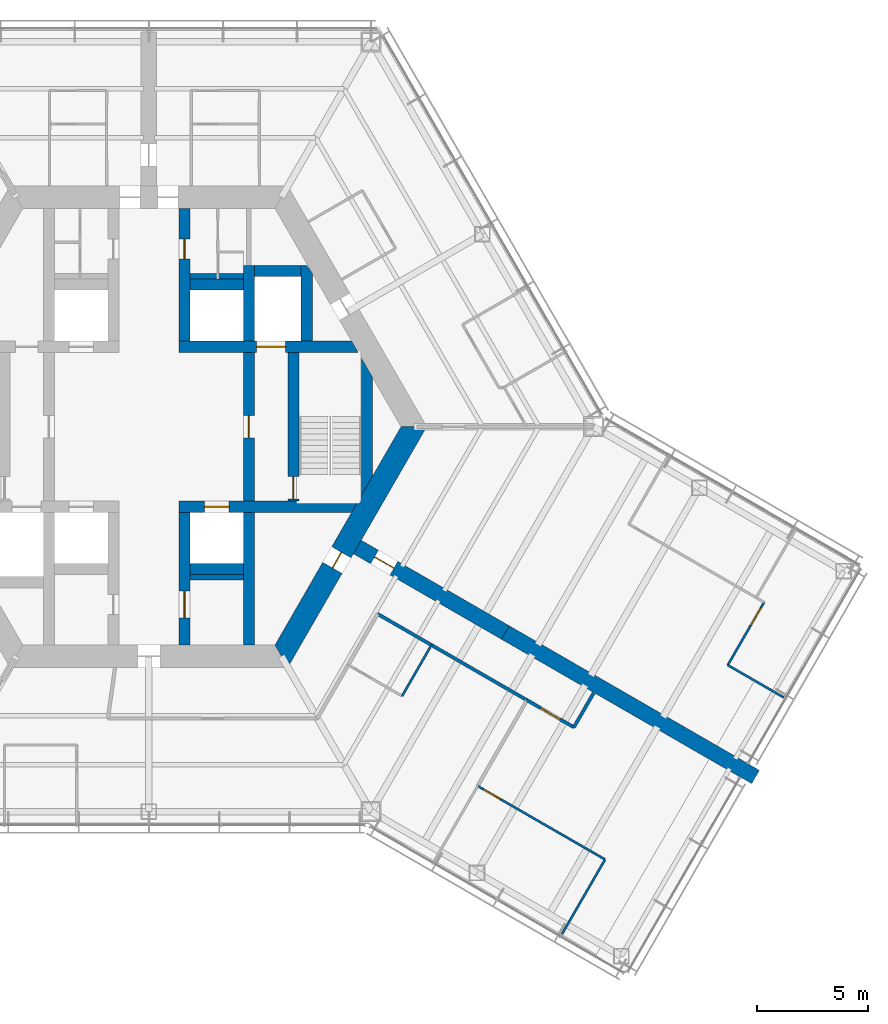
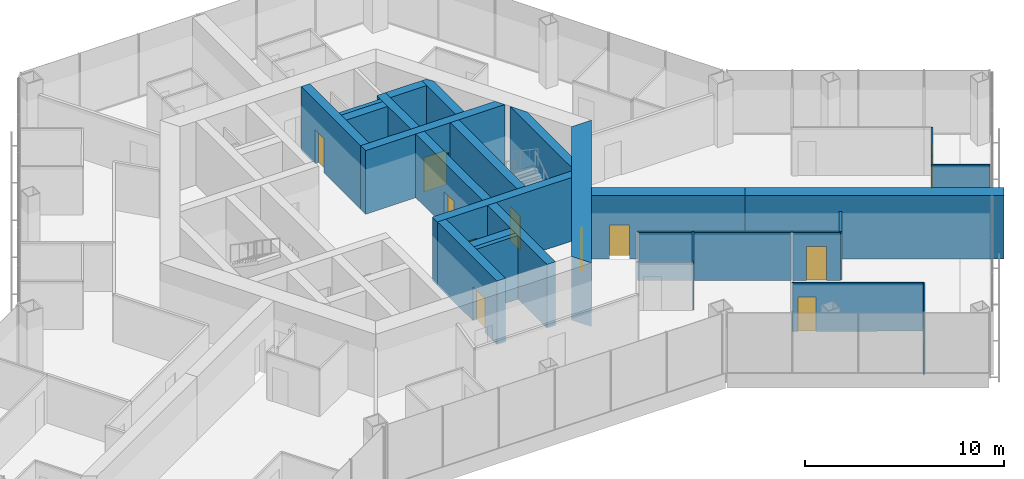
# One storey, part 13 of 18: 27 walls, 11 doors, 11 openings.
"""IFC4 building model written with IfcOpenShell, lengths in metres."""

from ifc_helpers import new_model, si_unit, direction, frame, frame_2d, origin, place, context, subcontext, project, spatial, polyline, rectangle, outline, extrude, material, layer, layer_set, type_object, element, fill, save


model = new_model("IFC4")

# Units and contexts
model_context = context("Model", 3, precision=1e-05, world=origin(), true_north=direction((0.0, 1.0)))
body_context = subcontext(model_context, "Body", "Model", "MODEL_VIEW")
ifc_project = project(units=[si_unit("LENGTHUNIT", "METRE"), si_unit("AREAUNIT", "SQUARE_METRE"), si_unit("VOLUMEUNIT", "CUBIC_METRE"), si_unit("PLANEANGLEUNIT", "RADIAN"), si_unit("MASSUNIT", "GRAM", prefix="KILO")], contexts=[model_context])

# Site, building, storey
site_placement = place(None, origin())
site = spatial("IfcSite", under=ifc_project, at=site_placement, CompositionType="ELEMENT")
building_placement = place(site_placement, origin())
building = spatial("IfcBuilding", under=site, at=building_placement, Name="Kasaneha Research Tower", CompositionType="ELEMENT")
storey_placement = place(building_placement, frame((0.0, 0.0, 133.10009765625)))
storey = spatial("IfcBuildingStorey", under=building, at=storey_placement, Name="L33", CompositionType="ELEMENT", Elevation=133.10009765625)

# Wall, opening, door
ifc_material_1 = material(Name="Concrete Fc70", Category="concrete")
ifc_layer_1 = layer(ifc_material_1, 0.5)
ifc_layer_set_1 = layer_set([ifc_layer_1], Name="Core internal wall 500 Fc70")
wall_type_1 = type_object("IfcWallType", Name="Core internal wall 500 Fc70", PredefinedType="SHEAR", material=ifc_layer_set_1)
wall_1_placement = place(storey_placement, frame((1.35009765625, 3.60009765625, 0.0), z_axis=(0.0, 0.0, 1.0), x_axis=(1.0, 0.0, 0.0)))
wall_1 = element("IfcWall", 1, at=wall_1_placement, inside=storey, type_object=wall_type_1, Name="Core wall W1E L33", PredefinedType="SHEAR", context=body_context, shape_type="SweptSolid", body=[
    extrude(outline(polyline([(0.0, -0.25), (3.5, -0.25), (4.800048828125, -0.25), (8.060546875, -0.25), (7.77197265625, 0.25), (4.800048828125, 0.25), (3.5, 0.25), (0.0, 0.25), (0.0, -0.25)])), origin(), (0.0, 0.0, 1.0), 3.89990234375),
])
opening_1_placement = place(wall_1_placement, frame((3.5, 0.0, 0.0)))
opening_1 = element("IfcOpeningElement", 2, at=opening_1_placement, cuts=wall_1, Name="Opening LD-FL1-L33", PredefinedType="OPENING", context=body_context, shape_type="SweptSolid", body=[
    extrude(rectangle(XDim=1.300048828125, YDim=2.10009765625, at=frame_2d((0.64990234375, 1.050048828125))), frame((0.0, 0.260009765625, 0.0), z_axis=(0.0, -1.0, 0.0), x_axis=(1.0, 0.0, 0.0)), (0.0, 0.0, 1.0), 0.52001953125),
])
ifc_material_2 = material(Name="Steel", Category="steel")
door_type_1 = type_object("IfcDoorType", Name="Lift landing door 1300x2100", OperationType="DOUBLE_DOOR_SLIDING", PredefinedType="DOOR", material=ifc_material_2)
door_1_placement = place(opening_1_placement, origin())
door_1 = element("IfcDoor", 3, at=door_1_placement, inside=storey, type_object=door_type_1, Name="Landing door FL1 LD-FL1-L33", OperationType="DOUBLE_DOOR_SLIDING", OverallHeight=2.10009765625, OverallWidth=1.300048828125, PredefinedType="DOOR", context=body_context, shape_type="SweptSolid", body=[
    extrude(rectangle(XDim=1.300048828125, YDim=2.10009765625, at=frame_2d((0.64990234375, 1.050048828125))), frame((0.0, 0.02490234375, 0.0), z_axis=(0.0, -1.0, 0.0), x_axis=(1.0, 0.0, 0.0)), (0.0, 0.0, 1.0), 0.050048828125),
])
fill(opening_1, door_1)

wall_2_placement = place(storey_placement, frame((1.35009765625, -3.60009765625, 0.0), z_axis=(0.0, 0.0, 1.0), x_axis=(1.0, 0.0, 0.0)))
wall_2 = element("IfcWall", 4, at=wall_2_placement, inside=storey, type_object=wall_type_1, Name="Core wall W2E L33", PredefinedType="SHEAR", context=body_context, shape_type="SweptSolid", body=[
    extrude(outline(polyline([(0.0, -0.25), (1.14990234375, -0.25), (2.25, -0.25), (7.77197265625, -0.25), (8.060546875, 0.25), (2.25, 0.25), (1.14990234375, 0.25), (0.0, 0.25), (0.0, -0.25)])), origin(), (0.0, 0.0, 1.0), 3.89990234375),
])
opening_2_placement = place(wall_2_placement, frame((1.14990234375, 0.0, 0.0)))
opening_2 = element("IfcOpeningElement", 5, at=opening_2_placement, cuts=wall_2, Name="Opening LD-LM2-L33", PredefinedType="OPENING", context=body_context, shape_type="SweptSolid", body=[
    extrude(rectangle(XDim=1.10009765625, YDim=2.10009765625, at=frame_2d((0.550048828125, 1.050048828125))), frame((0.0, 0.260009765625, 0.0), z_axis=(0.0, -1.0, 0.0), x_axis=(1.0, 0.0, 0.0)), (0.0, 0.0, 1.0), 0.52001953125),
])
ifc_material_3 = material(Name="Steel", Category="steel")
door_type_2 = type_object("IfcDoorType", Name="Lift landing door 1100x2100", OperationType="DOUBLE_DOOR_SLIDING", PredefinedType="DOOR", material=ifc_material_3)
door_2_placement = place(opening_2_placement, origin())
door_2 = element("IfcDoor", 6, at=door_2_placement, inside=storey, type_object=door_type_2, Name="Landing door LM2 LD-LM2-L33", OperationType="DOUBLE_DOOR_SLIDING", OverallHeight=2.10009765625, OverallWidth=1.10009765625, PredefinedType="DOOR", context=body_context, shape_type="SweptSolid", body=[
    extrude(rectangle(XDim=1.10009765625, YDim=2.10009765625, at=frame_2d((0.550048828125, 1.050048828125))), frame((0.0, 0.02490234375, 0.0), z_axis=(0.0, -1.0, 0.0), x_axis=(1.0, 0.0, 0.0)), (0.0, 0.0, 1.0), 0.050048828125),
])
fill(opening_2, door_2)

wall_3_placement = place(storey_placement, frame((1.60009765625, 3.85009765625, 0.0), z_axis=(0.0, 0.0, 1.0), x_axis=(0.0, 1.0, 0.0)))
wall_3 = element("IfcWall", 7, at=wall_3_placement, inside=storey, type_object=wall_type_1, Name="Core wall CNE L33", PredefinedType="SHEAR", context=body_context, shape_type="SweptSolid", body=[
    extrude(rectangle(XDim=5.974853515625, YDim=0.5, at=frame_2d((2.9873046875, 0.0))), origin(), (0.0, 0.0, 1.0), 3.89990234375),
])
opening_3_placement = place(wall_3_placement, frame((3.699951171875, 0.0, 0.0)))
opening_3 = element("IfcOpeningElement", 8, at=opening_3_placement, cuts=wall_3, Name="Opening L33-D14", PredefinedType="OPENING", context=body_context, shape_type="SweptSolid", body=[
    extrude(rectangle(XDim=0.89990234375, YDim=2.10009765625, at=frame_2d((0.449951171875, 1.050048828125))), frame((0.0, 0.260009765625, 0.0), z_axis=(0.0, -1.0, 0.0), x_axis=(1.0, 0.0, 0.0)), (0.0, 0.0, 1.0), 0.52001953125),
])
ifc_material_4 = material(Name="Steel", Category="steel")
door_type_3 = type_object("IfcDoorType", Name="Toilet door FD20 900x2100", OperationType="NOTDEFINED", PredefinedType="DOOR", material=ifc_material_4)
door_3_placement = place(opening_3_placement, origin())
door_3 = element("IfcDoor", 9, at=door_3_placement, inside=storey, type_object=door_type_3, Name="Women's WC door L33-D14", OperationType="SINGLE_SWING_LEFT", OverallHeight=2.10009765625, OverallWidth=0.89990234375, PredefinedType="DOOR", context=body_context, shape_type="SweptSolid", body=[
    extrude(rectangle(XDim=0.89990234375, YDim=2.10009765625, at=frame_2d((0.449951171875, 1.050048828125))), frame((0.0, 0.02490234375, 0.0), z_axis=(0.0, -1.0, 0.0), x_axis=(1.0, 0.0, 0.0)), (0.0, 0.0, 1.0), 0.050048828125),
])
fill(opening_3, door_3)

wall_4_placement = place(storey_placement, frame((1.60009765625, -3.85009765625, 0.0), z_axis=(0.0, 0.0, 1.0), x_axis=(0.0, -1.0, 0.0)))
wall_4 = element("IfcWall", 10, at=wall_4_placement, inside=storey, type_object=wall_type_1, Name="Core wall CSE L33", PredefinedType="SHEAR", context=body_context, shape_type="SweptSolid", body=[
    extrude(rectangle(XDim=5.974853515625, YDim=0.5, at=frame_2d((2.9873046875, 0.0))), origin(), (0.0, 0.0, 1.0), 3.89990234375),
])
opening_4_placement = place(wall_4_placement, frame((3.550048828125, 0.0, 0.0)))
opening_4 = element("IfcOpeningElement", 11, at=opening_4_placement, cuts=wall_4, Name="Opening L33-D15", PredefinedType="OPENING", context=body_context, shape_type="SweptSolid", body=[
    extrude(rectangle(XDim=1.199951171875, YDim=2.10009765625, at=frame_2d((0.60009765625, 1.050048828125))), frame((0.0, 0.260009765625, 0.0), z_axis=(0.0, -1.0, 0.0), x_axis=(1.0, 0.0, 0.0)), (0.0, 0.0, 1.0), 0.52001953125),
])
ifc_material_5 = material(Name="Steel", Category="steel")
door_type_4 = type_object("IfcDoorType", Name="Accessible toilet sliding door FD20 1200x2100", OperationType="SLIDING_TO_LEFT", PredefinedType="DOOR", material=ifc_material_5)
door_4_placement = place(opening_4_placement, origin())
door_4 = element("IfcDoor", 12, at=door_4_placement, inside=storey, type_object=door_type_4, Name="Accessible WC door L33-D15", OperationType="SLIDING_TO_LEFT", OverallHeight=2.10009765625, OverallWidth=1.199951171875, PredefinedType="DOOR", context=body_context, shape_type="SweptSolid", body=[
    extrude(rectangle(XDim=1.199951171875, YDim=2.10009765625, at=frame_2d((0.60009765625, 1.050048828125))), frame((0.0, 0.02490234375, 0.0), z_axis=(0.0, -1.0, 0.0), x_axis=(1.0, 0.0, 0.0)), (0.0, 0.0, 1.0), 0.050048828125),
])
fill(opening_4, door_4)

wall_5_placement = place(storey_placement, frame((4.5, -3.35009765625, 0.0), z_axis=(0.0, 0.0, 1.0), x_axis=(0.0, 1.0, 0.0)))
wall_5 = element("IfcWall", 13, at=wall_5_placement, inside=storey, type_object=wall_type_1, Name="Core wall LBE L33", PredefinedType="SHEAR", context=body_context, shape_type="SweptSolid", body=[
    extrude(rectangle(XDim=6.7001953125, YDim=0.5, at=frame_2d((3.35009765625, 0.0))), origin(), (0.0, 0.0, 1.0), 3.89990234375),
])
opening_5_placement = place(wall_5_placement, frame((2.85009765625, 0.0, 0.0)))
opening_5 = element("IfcOpeningElement", 14, at=opening_5_placement, cuts=wall_5, Name="Opening L33-D08", PredefinedType="OPENING", context=body_context, shape_type="SweptSolid", body=[
    extrude(rectangle(XDim=1.0, YDim=2.10009765625, at=frame_2d((0.5, 1.050048828125))), frame((0.0, 0.260009765625, 0.0), z_axis=(0.0, -1.0, 0.0), x_axis=(1.0, 0.0, 0.0)), (0.0, 0.0, 1.0), 0.52001953125),
])
ifc_material_6 = material(Name="Steel", Category="steel")
door_type_5 = type_object("IfcDoorType", Name="Specified fire door FD60 1000x2100", OperationType="NOTDEFINED", PredefinedType="DOOR", material=ifc_material_6)
door_5_placement = place(opening_5_placement, origin())
door_5 = element("IfcDoor", 15, at=door_5_placement, inside=storey, type_object=door_type_5, Name="Lift lobby door east L33-D08", OperationType="SINGLE_SWING_LEFT", OverallHeight=2.10009765625, OverallWidth=1.0, PredefinedType="DOOR", context=body_context, shape_type="SweptSolid", body=[
    extrude(rectangle(XDim=1.0, YDim=2.10009765625, at=frame_2d((0.5, 1.050048828125))), frame((0.0, 0.02490234375, 0.0), z_axis=(0.0, -1.0, 0.0), x_axis=(1.0, 0.0, 0.0)), (0.0, 0.0, 1.0), 0.050048828125),
])
fill(opening_5, door_5)

wall_6_placement = place(storey_placement, frame((6.5, -3.35009765625, 0.0), z_axis=(0.0, 0.0, 1.0), x_axis=(0.0, 1.0, 0.0)))
wall_6 = element("IfcWall", 16, at=wall_6_placement, inside=storey, type_object=wall_type_1, Name="Core wall ANE L33", PredefinedType="SHEAR", context=body_context, shape_type="SweptSolid", body=[
    extrude(rectangle(XDim=6.7001953125, YDim=0.5, at=frame_2d((3.35009765625, 0.0))), origin(), (0.0, 0.0, 1.0), 3.89990234375),
])
opening_6_placement = place(wall_6_placement, frame((0.10009765625, 0.0, 0.0)))
opening_6 = element("IfcOpeningElement", 17, at=opening_6_placement, cuts=wall_6, Name="Opening L33-D10", PredefinedType="OPENING", context=body_context, shape_type="SweptSolid", body=[
    extrude(rectangle(XDim=1.0, YDim=2.10009765625, at=frame_2d((0.5, 1.050048828125))), frame((0.0, 0.260009765625, 0.0), z_axis=(0.0, -1.0, 0.0), x_axis=(1.0, 0.0, 0.0)), (0.0, 0.0, 1.0), 0.52001953125),
])
door_6_placement = place(opening_6_placement, origin())
door_6 = element("IfcDoor", 18, at=door_6_placement, inside=storey, type_object=door_type_5, Name="Stair 1 door L33-D10", OperationType="SINGLE_SWING_LEFT", OverallHeight=2.10009765625, OverallWidth=1.0, PredefinedType="DOOR", context=body_context, shape_type="SweptSolid", body=[
    extrude(rectangle(XDim=1.0, YDim=2.10009765625, at=frame_2d((0.5, 1.050048828125))), frame((0.0, 0.02490234375, 0.0), z_axis=(0.0, -1.0, 0.0), x_axis=(1.0, 0.0, 0.0)), (0.0, 0.0, 1.0), 0.050048828125),
])
fill(opening_6, door_6)

# Walls
wall_7_placement = place(storey_placement, frame((4.5, 3.85009765625, 0.0), z_axis=(0.0, 0.0, 1.0), x_axis=(0.0, 1.0, 0.0)))
element("IfcWall", 19, at=wall_7_placement, inside=storey, type_object=wall_type_1, Name="Core wall FNE L33", PredefinedType="SHEAR", context=body_context, shape_type="SweptSolid", body=[
    extrude(rectangle(XDim=3.39990234375, YDim=0.5, at=frame_2d((1.699951171875, 0.0))), origin(), (0.0, 0.0, 1.0), 3.89990234375),
])
wall_8_placement = place(storey_placement, frame((4.5, -3.85009765625, 0.0), z_axis=(0.0, 0.0, 1.0), x_axis=(0.0, -1.0, 0.0)))
element("IfcWall", 20, at=wall_8_placement, inside=storey, type_object=wall_type_1, Name="Core wall SSE L33", PredefinedType="SHEAR", context=body_context, shape_type="SweptSolid", body=[
    extrude(rectangle(XDim=5.974853515625, YDim=0.5, at=frame_2d((2.9873046875, 0.0))), origin(), (0.0, 0.0, 1.0), 3.89990234375),
])
for number, where, z_axis, x_axis, name in (
    (21, (1.85009765625, 6.39990234375, 0.0), (0.0, 0.0, 1.0), (1.0, 0.0, 0.0), "Core wall N3N L33"),
    (22, (1.85009765625, -6.39990234375, 0.0), (0.0, 0.0, 1.0), (1.0, 0.0, 0.0), "Core wall S3S L33"),
):
    element("IfcWall", number, at=place(storey_placement, frame(where, z_axis=z_axis, x_axis=x_axis)), inside=storey, type_object=wall_type_1, Name=name, PredefinedType="SHEAR", context=body_context, shape_type="SweptSolid", body=[
        extrude(rectangle(XDim=2.39990234375, YDim=0.5, at=frame_2d((1.199951171875, 0.0))), origin(), (0.0, 0.0, 1.0), 3.89990234375),
    ])
wall_9_placement = place(storey_placement, frame((4.75, 7.0, 0.0), z_axis=(0.0, 0.0, 1.0), x_axis=(1.0, 0.0, 0.0)))
element("IfcWall", 23, at=wall_9_placement, inside=storey, type_object=wall_type_1, Name="Core wall F1N L33", PredefinedType="SHEAR", context=body_context, shape_type="SweptSolid", body=[
    extrude(rectangle(XDim=2.10009765625, YDim=0.5, at=frame_2d((1.050048828125, 0.0))), origin(), (0.0, 0.0, 1.0), 3.89990234375),
])
wall_10_placement = place(storey_placement, frame((7.10009765625, 3.85009765625, 0.0), z_axis=(0.0, 0.0, 1.0), x_axis=(0.0, 1.0, 0.0)))
element("IfcWall", 24, at=wall_10_placement, inside=storey, type_object=wall_type_1, Name="Core wall F1E L33", PredefinedType="SHEAR", context=body_context, shape_type="SweptSolid", body=[
    extrude(outline(polyline([(0.0, -0.25), (3.0693359375, -0.25), (3.39990234375, 0.0), (3.39990234375, 0.25), (0.0, 0.25), (0.0, -0.25)])), origin(), (0.0, 0.0, 1.0), 3.89990234375),
])
wall_11_placement = place(storey_placement, frame((9.807861328125, -2.662353515625, 0.0), z_axis=(0.0, 0.0, 1.0), x_axis=(0.0, 1.0, 0.0)))
element("IfcWall", 25, at=wall_11_placement, inside=storey, type_object=wall_type_1, Name="Core wall STE L33", PredefinedType="SHEAR", context=body_context, shape_type="SweptSolid", body=[
    extrude(outline(polyline([(0.43310546875, -0.25), (4.8916015625, -0.25), (5.7578125, 0.25), (-0.43310546875, 0.25), (0.43310546875, -0.25)])), origin(), (0.0, 0.0, 1.0), 3.89990234375),
])

# Wall, opening, door
ifc_material_7 = material(Name="Concrete Fc70", Category="concrete")
ifc_layer_2 = layer(ifc_material_7, 1.0)
ifc_layer_set_2 = layer_set([ifc_layer_2], Name="Core wall 1000 Fc70")
wall_type_2 = type_object("IfcWallType", Name="Core wall 1000 Fc70", PredefinedType="SHEAR", material=ifc_layer_set_2)
wall_12_placement = place(storey_placement, frame((5.961181640625, -10.324951171875, 0.0), z_axis=(0.0, 0.0, 1.0), x_axis=(0.500004296715, 0.866022923061, 0.0)))
wall_12 = element("IfcWall", 26, at=wall_12_placement, inside=storey, type_object=wall_type_2, Name="Core wall 330 L33", PredefinedType="SHEAR", context=body_context, shape_type="SweptSolid", body=[
    extrude(outline(polyline([(-0.28857421875, -0.5), (4.593994140625, -0.5), (5.39404296875, -0.5), (12.2109375, -0.5), (11.6337890625, 0.5), (5.39404296875, 0.5), (4.593994140625, 0.5), (0.28857421875, 0.5), (-0.28857421875, -0.5)])), origin(), (0.0, 0.0, 1.0), 3.89990234375),
])
opening_7_placement = place(wall_12_placement, frame((4.593994140625, 0.0, 0.0)))
opening_7 = element("IfcOpeningElement", 27, at=opening_7_placement, cuts=wall_12, Name="Opening L33-D05", PredefinedType="OPENING", context=body_context, shape_type="SweptSolid", body=[
    extrude(rectangle(XDim=0.800048828125, YDim=2.10009765625, at=frame_2d((0.39990234375, 1.050048828125))), frame((0.0, 0.510009765625, 0.0), z_axis=(0.0, -1.0, 0.0), x_axis=(1.0, 0.0, 0.0)), (0.0, 0.0, 1.0), 1.02001953125),
])
ifc_material_8 = material(Name="Steel", Category="steel")
door_type_6 = type_object("IfcDoorType", Name="Riser access door FD60 800x2100", OperationType="NOTDEFINED", PredefinedType="DOOR", material=ifc_material_8)
door_7_placement = place(opening_7_placement, origin())
door_7 = element("IfcDoor", 28, at=door_7_placement, inside=storey, type_object=door_type_6, Name="Pipe riser door L33-D05", OperationType="SINGLE_SWING_LEFT", OverallHeight=2.10009765625, OverallWidth=0.800048828125, PredefinedType="DOOR", context=body_context, shape_type="SweptSolid", body=[
    extrude(rectangle(XDim=0.800048828125, YDim=2.10009765625, at=frame_2d((0.39990234375, 1.050048828125))), frame((0.0, 0.02490234375, 0.0), z_axis=(0.0, -1.0, 0.0), x_axis=(1.0, 0.0, 0.0)), (0.0, 0.0, 1.0), 0.050048828125),
])
fill(opening_7, door_7)

ifc_material_9 = material(Name="Gypsum board on steel studs, one layer each side", Category="steel")
ifc_layer_3 = layer(ifc_material_9, 0.10009765625)
ifc_layer_set_3 = layer_set([ifc_layer_3], Name="Office partition 100")
wall_type_3 = type_object("IfcWallType", Name="Office partition 100", PredefinedType="PARTITIONING", material=ifc_layer_set_3)
wall_13_placement = place(storey_placement, frame((26.04638671875, -10.72705078125, 0.0), z_axis=(0.0, 0.0, 1.0), x_axis=(0.499765599164, 0.866160692881, 0.0)))
wall_13 = element("IfcWall", 29, at=wall_13_placement, inside=storey, type_object=wall_type_3, Name="Office partition FCE04 L33", PredefinedType="PARTITIONING", context=body_context, shape_type="SweptSolid", body=[
    extrude(rectangle(XDim=3.265625, YDim=0.10009765625, at=frame_2d((1.6328125, 0.0))), origin(), (0.0, 0.0, 1.0), 2.949951171875),
])
opening_8_placement = place(wall_13_placement, frame((2.065673828125, 0.0, 0.0)))
opening_8 = element("IfcOpeningElement", 30, at=opening_8_placement, cuts=wall_13, Name="Opening L33-D44", PredefinedType="OPENING", context=body_context, shape_type="SweptSolid", body=[
    extrude(rectangle(XDim=0.89990234375, YDim=2.10009765625, at=frame_2d((0.449951171875, 1.050048828125))), frame((0.0, 0.06005859375, 0.0), z_axis=(0.0, -1.0, 0.0), x_axis=(1.0, 0.0, 0.0)), (0.0, 0.0, 1.0), 0.1201171875),
])
ifc_material_10 = material(Name="Timber veneer", Category="wood")
door_type_7 = type_object("IfcDoorType", Name="Office door 900x2100", OperationType="SINGLE_SWING_LEFT", PredefinedType="DOOR", material=ifc_material_10)
door_8_placement = place(opening_8_placement, origin())
door_8 = element("IfcDoor", 31, at=door_8_placement, inside=storey, type_object=door_type_7, Name="Interview room door L33-D44", OperationType="SINGLE_SWING_RIGHT", OverallHeight=2.10009765625, OverallWidth=0.89990234375, PredefinedType="DOOR", context=body_context, shape_type="SweptSolid", body=[
    extrude(rectangle(XDim=0.89990234375, YDim=2.10009765625, at=frame_2d((0.449951171875, 1.050048828125))), frame((0.0, 0.02490234375, 0.0), z_axis=(0.0, -1.0, 0.0), x_axis=(1.0, 0.0, 0.0)), (0.0, 0.0, 1.0), 0.050048828125),
])
fill(opening_8, door_8)

# Walls
wall_14_placement = place(storey_placement, frame((28.5625, -12.1796875, 0.0), z_axis=(0.0, 0.0, 1.0), x_axis=(-0.866031657677, 0.499989167784, 0.0)))
element("IfcWall", 32, at=wall_14_placement, inside=storey, type_object=wall_type_3, Name="Office partition FCE06 L33", PredefinedType="PARTITIONING", context=body_context, shape_type="SweptSolid", body=[
    extrude(rectangle(XDim=2.9052734375, YDim=0.10009765625, at=frame_2d((1.45263671875, 0.0))), origin(), (0.0, 0.0, 1.0), 2.949951171875),
])
wall_15_placement = place(storey_placement, frame((12.712646484375, -9.822265625, 0.0), z_axis=(0.0, 0.0, 1.0), x_axis=(-0.49852824611, -0.866873455488, 0.0)))
element("IfcWall", 33, at=wall_15_placement, inside=storey, type_object=wall_type_3, Name="Office partition FCS10 L33", PredefinedType="PARTITIONING", context=body_context, shape_type="SweptSolid", body=[
    extrude(rectangle(XDim=2.64990234375, YDim=0.10009765625, at=frame_2d((1.324951171875, 0.0))), origin(), (0.0, 0.0, 1.0), 2.949951171875),
])

# Wall, opening, door
wall_16_placement = place(storey_placement, frame((14.7900390625, -16.165283203125, 0.0), z_axis=(0.0, 0.0, 1.0), x_axis=(0.866359914703, -0.499420161984, 0.0)))
wall_16 = element("IfcWall", 34, at=wall_16_placement, inside=storey, type_object=wall_type_3, Name="Office partition FCS15 L33", PredefinedType="PARTITIONING", context=body_context, shape_type="SweptSolid", body=[
    extrude(rectangle(XDim=6.619384765625, YDim=0.10009765625, at=frame_2d((3.3095703125, 0.0))), origin(), (0.0, 0.0, 1.0), 2.949951171875),
])
opening_9_placement = place(wall_16_placement, frame((0.300048828125, 0.0, 0.0)))
opening_9 = element("IfcOpeningElement", 35, at=opening_9_placement, cuts=wall_16, Name="Opening L33-D49", PredefinedType="OPENING", context=body_context, shape_type="SweptSolid", body=[
    extrude(rectangle(XDim=0.89990234375, YDim=2.10009765625, at=frame_2d((0.449951171875, 1.050048828125))), frame((0.0, 0.06005859375, 0.0), z_axis=(0.0, -1.0, 0.0), x_axis=(1.0, 0.0, 0.0)), (0.0, 0.0, 1.0), 0.1201171875),
])
door_9_placement = place(opening_9_placement, origin())
door_9 = element("IfcDoor", 36, at=door_9_placement, inside=storey, type_object=door_type_7, Name="Meeting room door L33-D49", OperationType="SINGLE_SWING_LEFT", OverallHeight=2.10009765625, OverallWidth=0.89990234375, PredefinedType="DOOR", context=body_context, shape_type="SweptSolid", body=[
    extrude(rectangle(XDim=0.89990234375, YDim=2.10009765625, at=frame_2d((0.449951171875, 1.050048828125))), frame((0.0, 0.02490234375, 0.0), z_axis=(0.0, -1.0, 0.0), x_axis=(1.0, 0.0, 0.0)), (0.0, 0.0, 1.0), 0.050048828125),
])
fill(opening_9, door_9)

# Wall
wall_17_placement = place(storey_placement, frame((20.52490234375, -19.47119140625, 0.0), z_axis=(0.0, 0.0, 1.0), x_axis=(-0.499996613652, -0.866027358884, 0.0)))
element("IfcWall", 37, at=wall_17_placement, inside=storey, type_object=wall_type_3, Name="Office partition FCS16 L33", PredefinedType="PARTITIONING", context=body_context, shape_type="SweptSolid", body=[
    extrude(rectangle(XDim=3.8798828125, YDim=0.10009765625, at=frame_2d((1.93994140625, 0.0))), origin(), (0.0, 0.0, 1.0), 2.949951171875),
])

# Wall, opening, door
ifc_material_11 = material(Name="Concrete Fc70", Category="concrete")
ifc_layer_4 = layer(ifc_material_11, 0.699951171875)
ifc_layer_set_4 = layer_set([ifc_layer_4], Name="Spine wall 700 Fc70")
wall_type_4 = type_object("IfcWallType", Name="Spine wall 700 Fc70", PredefinedType="SHEAR", material=ifc_layer_set_4)
wall_18_placement = place(storey_placement, frame((9.374755859375, -5.41259765625, 0.0), z_axis=(0.0, 0.0, 1.0), x_axis=(0.866032377459, -0.499987921047, 0.0)))
wall_18 = element("IfcWall", 38, at=wall_18_placement, inside=storey, type_object=wall_type_4, Name="Spine wall C L33", PredefinedType="SHEAR", context=body_context, shape_type="SweptSolid", body=[
    extrude(rectangle(XDim=7.695556640625, YDim=0.699951171875, at=frame_2d((3.84765625, 0.0))), origin(), (0.0, 0.0, 1.0), 3.89990234375),
])
opening_10_placement = place(wall_18_placement, frame((0.89990234375, 0.0, 0.0)))
opening_10 = element("IfcOpeningElement", 39, at=opening_10_placement, cuts=wall_18, Name="Opening L33-D19", PredefinedType="OPENING", context=body_context, shape_type="SweptSolid", body=[
    extrude(rectangle(XDim=1.0, YDim=2.10009765625, at=frame_2d((0.5, 1.050048828125))), frame((0.0, 0.35986328125, 0.0), z_axis=(0.0, -1.0, 0.0), x_axis=(1.0, 0.0, 0.0)), (0.0, 0.0, 1.0), 0.719970703125),
])
door_10_placement = place(opening_10_placement, origin())
door_10 = element("IfcDoor", 40, at=door_10_placement, inside=storey, type_object=door_type_5, Name="Spine doorway C L33-D19", OperationType="SINGLE_SWING_LEFT", OverallHeight=2.10009765625, OverallWidth=1.0, PredefinedType="DOOR", context=body_context, shape_type="SweptSolid", body=[
    extrude(rectangle(XDim=1.0, YDim=2.10009765625, at=frame_2d((0.5, 1.050048828125))), frame((0.0, 0.02490234375, 0.0), z_axis=(0.0, -1.0, 0.0), x_axis=(1.0, 0.0, 0.0)), (0.0, 0.0, 1.0), 0.050048828125),
])
fill(opening_10, door_10)

# Walls
wall_19_placement = place(storey_placement, frame((16.039306640625, -9.26025390625, 0.0), z_axis=(0.0, 0.0, 1.0), x_axis=(0.866024837091, -0.50000098154, 0.0)))
element("IfcWall", 41, at=wall_19_placement, inside=storey, type_object=wall_type_4, Name="Spine wall C wing L33", PredefinedType="SHEAR", context=body_context, shape_type="SweptSolid", body=[
    extrude(rectangle(XDim=13.0, YDim=0.699951171875, at=frame_2d((6.5, 0.0))), origin(), (0.0, 0.0, 1.0), 3.89990234375),
])
ifc_material_12 = material(Name="Gypsum board on steel studs, two layers each side", Category="steel")
ifc_layer_5 = layer(ifc_material_12, 0.14990234375)
ifc_layer_set_5 = layer_set([ifc_layer_5], Name="Suite partition 150")
wall_type_5 = type_object("IfcWallType", Name="Suite partition 150", PredefinedType="PARTITIONING", material=ifc_layer_set_5)
wall_20_placement = place(storey_placement, frame((12.720703125, -9.826904296875, 0.0), z_axis=(0.0, 0.0, 1.0), x_axis=(-0.866049342339, 0.499958534914, 0.0)))
element("IfcWall", 42, at=wall_20_placement, inside=storey, type_object=wall_type_5, Name="Suite partition FCS02 L33", PredefinedType="PARTITIONING", context=body_context, shape_type="SweptSolid", body=[
    extrude(rectangle(XDim=2.804931640625, YDim=0.14990234375, at=frame_2d((1.40234375, 0.0))), origin(), (0.0, 0.0, 1.0), 2.949951171875),
])
wall_21_placement = place(storey_placement, frame((17.021484375, -12.31005859375, 0.0), z_axis=(0.0, 0.0, 1.0), x_axis=(-0.866018071205, 0.500012700186, 0.0)))
element("IfcWall", 43, at=wall_21_placement, inside=storey, type_object=wall_type_5, Name="Suite partition FCS06 L33", PredefinedType="PARTITIONING", context=body_context, shape_type="SweptSolid", body=[
    extrude(rectangle(XDim=4.975341796875, YDim=0.14990234375, at=frame_2d((2.48779296875, 0.0))), origin(), (0.0, 0.0, 1.0), 2.949951171875),
])

# Wall, opening, door
wall_22_placement = place(storey_placement, frame((19.12109375, -13.522216796875, 0.0), z_axis=(0.0, 0.0, 1.0), x_axis=(-0.866000196749, 0.500043657324, 0.0)))
wall_22 = element("IfcWall", 44, at=wall_22_placement, inside=storey, type_object=wall_type_5, Name="Suite partition FCS07 L33", PredefinedType="PARTITIONING", context=body_context, shape_type="SweptSolid", body=[
    extrude(rectangle(XDim=2.434326171875, YDim=0.14990234375, at=frame_2d((1.21728515625, 0.0))), origin(), (0.0, 0.0, 1.0), 2.949951171875),
])
opening_11_placement = place(wall_22_placement, frame((0.71728515625, 0.0, 0.0)))
opening_11 = element("IfcOpeningElement", 45, at=opening_11_placement, cuts=wall_22, Name="Opening L33-D46", PredefinedType="OPENING", context=body_context, shape_type="SweptSolid", body=[
    extrude(rectangle(XDim=1.0, YDim=2.10009765625, at=frame_2d((0.5, 1.050048828125))), frame((0.0, 0.0849609375, 0.0), z_axis=(0.0, -1.0, 0.0), x_axis=(1.0, 0.0, 0.0)), (0.0, 0.0, 1.0), 0.169921875),
])
ifc_material_13 = material(Name="Steel", Category="steel")
door_type_8 = type_object("IfcDoorType", Name="Suite entrance door FD60 1000x2100", OperationType="NOTDEFINED", PredefinedType="DOOR", material=ifc_material_13)
door_11_placement = place(opening_11_placement, origin())
door_11 = element("IfcDoor", 46, at=door_11_placement, inside=storey, type_object=door_type_8, Name="Suite entrance door L33-D46", OperationType="SINGLE_SWING_LEFT", OverallHeight=2.10009765625, OverallWidth=1.0, PredefinedType="DOOR", context=body_context, shape_type="SweptSolid", body=[
    extrude(rectangle(XDim=1.0, YDim=2.10009765625, at=frame_2d((0.5, 1.050048828125))), frame((0.0, 0.02490234375, 0.0), z_axis=(0.0, -1.0, 0.0), x_axis=(1.0, 0.0, 0.0)), (0.0, 0.0, 1.0), 0.050048828125),
])
fill(opening_11, door_11)

# Walls
wall_23_placement = place(storey_placement, frame((20.01123046875, -11.980712890625, 0.0), z_axis=(0.0, 0.0, 1.0), x_axis=(-0.500062787734, -0.865989150234, 0.0)))
element("IfcWall", 47, at=wall_23_placement, inside=storey, type_object=wall_type_5, Name="Suite partition FCS08 L33", PredefinedType="PARTITIONING", context=body_context, shape_type="SweptSolid", body=[
    extrude(rectangle(XDim=1.780029296875, YDim=0.14990234375, at=frame_2d((0.89013671875, 0.0))), origin(), (0.0, 0.0, 1.0), 2.949951171875),
])
ifc_material_14 = material(Name="Concrete block lining", Category="concrete")
ifc_layer_6 = layer(ifc_material_14, 0.25)
ifc_layer_set_6 = layer_set([ifc_layer_6], Name="WC plumbing wall 250")
wall_type_6 = type_object("IfcWallType", Name="WC plumbing wall 250", PredefinedType="PLUMBINGWALL", material=ifc_layer_set_6)
for number, where, z_axis, x_axis, name in (
    (48, (1.85009765625, 6.77490234375, 0.0), (0.0, 0.0, 1.0), (1.0, 0.0, 0.0), "WC plumbing wall F L33"),
    (49, (1.85009765625, -6.77490234375, 0.0), (0.0, 0.0, 1.0), (1.0, 0.0, 0.0), "WC plumbing wall A L33"),
):
    element("IfcWall", number, at=place(storey_placement, frame(where, z_axis=z_axis, x_axis=x_axis)), inside=storey, type_object=wall_type_6, Name=name, PredefinedType="PLUMBINGWALL", context=body_context, shape_type="SweptSolid", body=[
        extrude(rectangle(XDim=2.39990234375, YDim=0.25, at=frame_2d((1.199951171875, 0.0))), origin(), (0.0, 0.0, 1.0), 3.89990234375),
    ])

save(model, "model.ifc")
